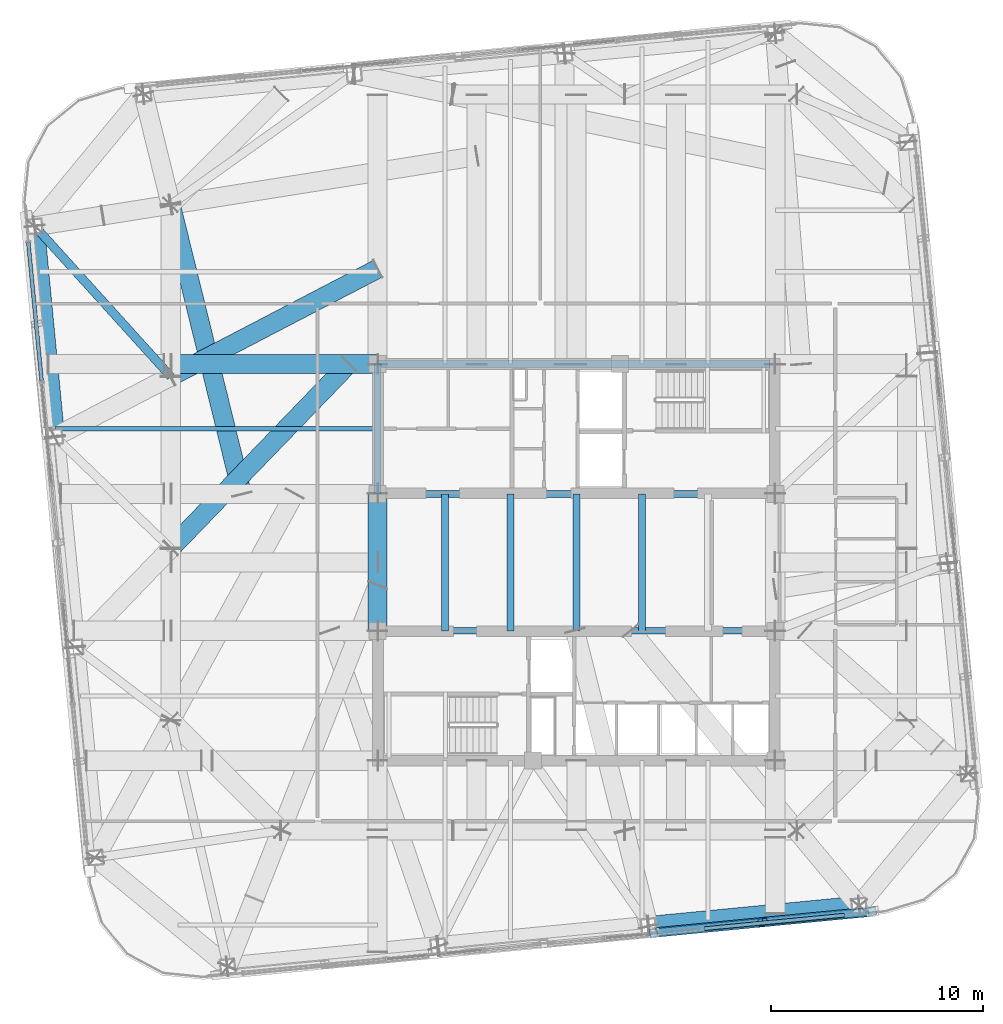
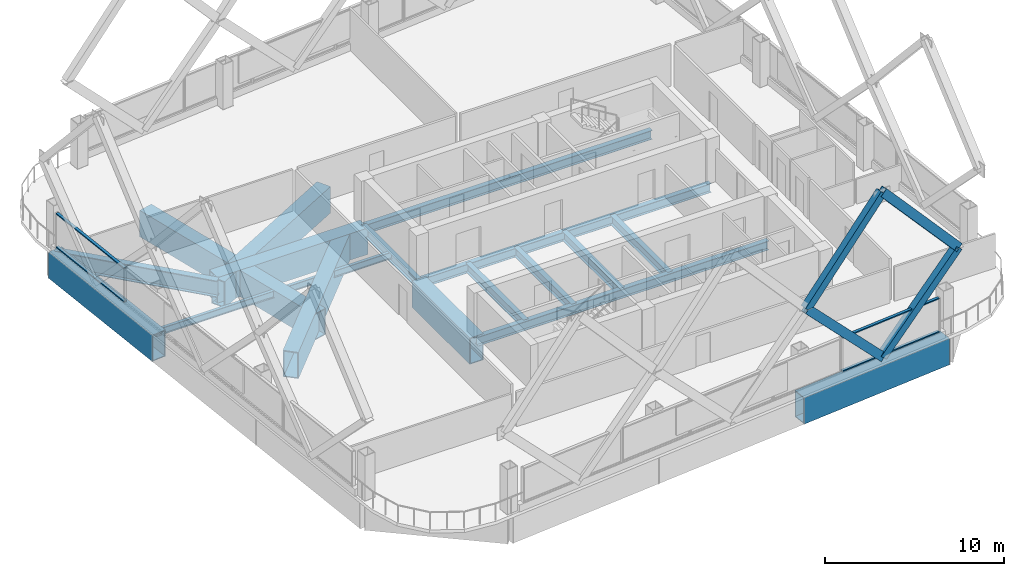
# One storey, part 13 of 37: 17 beams, 8 members, 2 elements without a shape of their own.
"""IFC4 building model written with IfcOpenShell, lengths in metres."""

from ifc_helpers import new_model, si_unit, direction, frame, origin, origin_2d, place, context, subcontext, project, spatial, hollow_rectangle, i_section, extrude, material, layer, layer_set, material_profile, profile_set, type_object, element, aggregate, save


model = new_model("IFC4")

# Units and contexts
model_context = context("Model", 3, precision=1e-05, world=origin(), true_north=direction((0.0, 1.0)))
body_context = subcontext(model_context, "Body", "Model", "MODEL_VIEW")
ifc_project = project(units=[si_unit("LENGTHUNIT", "METRE"), si_unit("AREAUNIT", "SQUARE_METRE"), si_unit("VOLUMEUNIT", "CUBIC_METRE"), si_unit("PLANEANGLEUNIT", "RADIAN"), si_unit("MASSUNIT", "GRAM", prefix="KILO")], contexts=[model_context])

# Site, building, storey
site_placement = place(None, origin())
site = spatial("IfcSite", under=ifc_project, at=site_placement, CompositionType="ELEMENT")
building_placement = place(site_placement, origin())
building = spatial("IfcBuilding", under=site, at=building_placement, Name="Qhalaya Broadcast Tower", CompositionType="ELEMENT")
storey_placement = place(building_placement, frame((0.0, 0.0, 156.14990234375)))
storey = spatial("IfcBuildingStorey", under=building, at=storey_placement, Name="L45", CompositionType="ELEMENT", Elevation=156.14990234375)

# Beams
ifc_material_1 = material(Name="Structural Steel ASTM A572 Grade 50", Category="steel")
ifc_material_profile_1 = material_profile(ifc_material_1, hollow_rectangle(XDim=0.89990234375, YDim=1.800048828125, WallThickness=0.06005859375, at=origin_2d()), Name="BOX 900x1800x60")
ifc_profile_set_1 = profile_set([ifc_material_profile_1], Name="Structural Steel ASTM A572 Grade 50")
beam_type_1 = type_object("IfcBeamType", Name="Block Cantilever Transfer Box Girder TG1", PredefinedType="USERDEFINED", material=ifc_profile_set_1)
for number, where, z_axis, x_axis, name in (
    (1, (3.399658203125, -16.537353515625, -1.119873046875), (0.995395510024, 0.095852900965, 0.0), (-0.095852900965, 0.995395510024, 0.0), "L45 TG1 L45-SPR-03"),
    (2, (-25.52783203125, 16.44189453125, -1.119873046875), (0.095852900965, -0.995395510024, 0.0), (0.995395510024, 0.095852900965, 0.0), "L45 TG1 L45-SPR-13"),
):
    element("IfcBeam", number, at=place(storey_placement, frame(where, z_axis=z_axis, x_axis=x_axis)), inside=storey, type_object=beam_type_1, Name=name, ObjectType="GIRDER", PredefinedType="USERDEFINED", context=body_context, shape_type="SweptSolid", body=[
        extrude(hollow_rectangle(XDim=0.89990234375, YDim=1.800048828125, WallThickness=0.06005859375, at=origin_2d()), origin(), (0.0, 0.0, 1.0), 9.966552734375),
    ])
beam_1_placement = place(storey_placement, frame((-9.375, -2.625, -1.119873046875), z_axis=(0.0, 1.0, 0.0), x_axis=(-1.0, 0.0, 0.0)))
element("IfcBeam", 3, at=beam_1_placement, inside=storey, type_object=beam_type_1, Name="L45 TG1 L45-TGIMW-1", ObjectType="GIRDER", PredefinedType="USERDEFINED", context=body_context, shape_type="SweptSolid", body=[
    extrude(hollow_rectangle(XDim=0.89990234375, YDim=1.800048828125, WallThickness=0.06005859375, at=origin_2d()), origin(), (0.0, 0.0, 1.0), 6.449951171875),
])
beam_2_placement = place(storey_placement, frame((-19.080078125, 9.949951171875, -1.119873046875), z_axis=(1.0, 0.0, 0.0), x_axis=(0.0, 1.0, 0.0)))
element("IfcBeam", 4, at=beam_2_placement, inside=storey, type_object=beam_type_1, Name="L45 TG1 L45-TGIY4W-1", ObjectType="GIRDER", PredefinedType="USERDEFINED", context=body_context, shape_type="SweptSolid", body=[
    extrude(hollow_rectangle(XDim=0.89990234375, YDim=1.800048828125, WallThickness=0.06005859375, at=origin_2d()), origin(), (0.0, 0.0, 1.0), 9.705078125),
])
beam_3_placement = place(storey_placement, frame((-15.763916015625, 3.824951171875, -1.119873046875), z_axis=(-0.239011733238, 0.971016679246, 0.0), x_axis=(-0.971016679246, -0.239011733238, 0.0)))
element("IfcBeam", 5, at=beam_3_placement, inside=storey, type_object=beam_type_1, Name="L45 Collinear Back-Span Transfer Box Girder 12", ObjectType="GIRDER", PredefinedType="USERDEFINED", context=body_context, shape_type="SweptSolid", body=[
    extrude(hollow_rectangle(XDim=0.89990234375, YDim=1.800048828125, WallThickness=0.06005859375, at=origin_2d()), origin(), (0.0, 0.0, 1.0), 14.0419921875),
])
beam_4_placement = place(storey_placement, frame((-9.375, 14.43359375, -1.119873046875), z_axis=(-0.886992214579, -0.461784377472, 0.0), x_axis=(0.461784377472, -0.886992214579, 0.0)))
element("IfcBeam", 6, at=beam_4_placement, inside=storey, type_object=beam_type_1, Name="L45 Collinear Back-Span Transfer Box Girder 14", ObjectType="GIRDER", PredefinedType="USERDEFINED", context=body_context, shape_type="SweptSolid", body=[
    extrude(hollow_rectangle(XDim=0.89990234375, YDim=1.800048828125, WallThickness=0.06005859375, at=origin_2d()), origin(), (0.0, 0.0, 1.0), 10.98681640625),
])
beam_5_placement = place(storey_placement, frame((-10.732666015625, 9.949951171875, -1.119873046875), z_axis=(-0.694472930006, -0.719518831921, 0.0), x_axis=(0.719518831921, -0.694472930006, 0.0)))
element("IfcBeam", 7, at=beam_5_placement, inside=storey, type_object=beam_type_1, Name="L45 Collinear Back-Span Transfer Box Girder 15", ObjectType="GIRDER", PredefinedType="USERDEFINED", context=body_context, shape_type="SweptSolid", body=[
    extrude(hollow_rectangle(XDim=0.89990234375, YDim=1.800048828125, WallThickness=0.06005859375, at=origin_2d()), origin(), (0.0, 0.0, 1.0), 12.077392578125),
])
ifc_material_2 = material(Name="Structural Steel ASTM A992 Grade 50", Category="steel")
ifc_material_profile_2 = material_profile(ifc_material_2, i_section(OverallWidth=0.19189453125, OverallDepth=0.462890625, WebThickness=0.010498046875, FlangeThickness=0.017578125, at=origin_2d()), Name="W18X60")
ifc_profile_set_2 = profile_set([ifc_material_profile_2], Name="Structural Steel ASTM A992 Grade 50")
beam_type_2 = type_object("IfcBeamType", Name="Composite Floor Joist J03", PredefinedType="JOIST", material=ifc_profile_set_2)
beam_6_placement = place(storey_placement, frame((-24.589111328125, 6.89990234375, -0.451416015625), z_axis=(1.0, 0.0, 0.0), x_axis=(0.0, 1.0, 0.0)))
element("IfcBeam", 8, at=beam_6_placement, inside=storey, type_object=beam_type_2, Name="L45 J03 L45-JWE5W-1", PredefinedType="JOIST", context=body_context, shape_type="SweptSolid", body=[
    extrude(i_section(OverallWidth=0.19189453125, OverallDepth=0.462890625, WebThickness=0.010498046875, FlangeThickness=0.017578125, at=origin_2d()), origin(), (0.0, 0.0, 1.0), 15.214111328125),
])
ifc_material_profile_3 = material_profile(ifc_material_2, i_section(OverallWidth=0.323974609375, OverallDepth=0.612060546875, WebThickness=0.0126953125, FlangeThickness=0.01904296875, at=origin_2d()), Name="W24X104")
ifc_profile_set_3 = profile_set([ifc_material_profile_3], Name="Structural Steel ASTM A992 Grade 50")
beam_type_3 = type_object("IfcBeamType", Name="Core Frame Tie Beam B04", PredefinedType="BEAM", material=ifc_profile_set_3)
beam_7_placement = place(storey_placement, frame((-9.375, 3.824951171875, -0.52587890625), z_axis=(1.0, 0.0, 0.0), x_axis=(0.0, 1.0, 0.0)))
element("IfcBeam", 9, at=beam_7_placement, inside=storey, type_object=beam_type_3, Name="L45 B04 L45-CCN1", PredefinedType="BEAM", context=body_context, shape_type="SweptSolid", body=[
    extrude(i_section(OverallWidth=0.323974609375, OverallDepth=0.612060546875, WebThickness=0.0126953125, FlangeThickness=0.01904296875, at=origin_2d()), origin(), (0.0, 0.0, 1.0), 18.75),
])
beam_8_placement = place(storey_placement, frame((-9.375, 3.824951171875, -0.52587890625), z_axis=(0.0, 1.0, 0.0), x_axis=(-1.0, 0.0, 0.0)))
element("IfcBeam", 10, at=beam_8_placement, inside=storey, type_object=beam_type_3, Name="L45 B04 L45-CCN2", PredefinedType="BEAM", context=body_context, shape_type="SweptSolid", body=[
    extrude(i_section(OverallWidth=0.323974609375, OverallDepth=0.612060546875, WebThickness=0.0126953125, FlangeThickness=0.01904296875, at=origin_2d()), origin(), (0.0, 0.0, 1.0), 6.125),
])
beam_9_placement = place(storey_placement, frame((-9.375, 9.949951171875, -0.52587890625), z_axis=(1.0, 0.0, 0.0), x_axis=(0.0, 1.0, 0.0)))
element("IfcBeam", 11, at=beam_9_placement, inside=storey, type_object=beam_type_3, Name="L45 B04 L45-CCN3", PredefinedType="BEAM", context=body_context, shape_type="SweptSolid", body=[
    extrude(i_section(OverallWidth=0.323974609375, OverallDepth=0.612060546875, WebThickness=0.0126953125, FlangeThickness=0.01904296875, at=origin_2d()), origin(), (0.0, 0.0, 1.0), 18.4951171875),
])
beam_10_placement = place(storey_placement, frame((-9.375, -2.625, -0.52587890625), z_axis=(1.0, 0.0, 0.0), x_axis=(0.0, 1.0, 0.0)))
element("IfcBeam", 12, at=beam_10_placement, inside=storey, type_object=beam_type_3, Name="L45 B04 L45-CCS1", PredefinedType="BEAM", context=body_context, shape_type="SweptSolid", body=[
    extrude(i_section(OverallWidth=0.323974609375, OverallDepth=0.612060546875, WebThickness=0.0126953125, FlangeThickness=0.01904296875, at=origin_2d()), origin(), (0.0, 0.0, 1.0), 18.75),
])
for number, where, z_axis, x_axis, name in (
    (13, (-6.199951171875, -2.625, -0.52587890625), (0.0, 1.0, 0.0), (-1.0, 0.0, 0.0), "L45 B04 L45-JC1-1"),
    (14, (-3.10009765625, -2.625, -0.52587890625), (0.0, 1.0, 0.0), (-1.0, 0.0, 0.0), "L45 B04 L45-JC2-1"),
    (15, (0.0, -2.625, -0.52587890625), (0.0, 1.0, 0.0), (-1.0, 0.0, 0.0), "L45 B04 L45-JC3-1"),
    (16, (3.10009765625, -2.625, -0.52587890625), (0.0, 1.0, 0.0), (-1.0, 0.0, 0.0), "L45 B04 L45-JC4-1"),
):
    element("IfcBeam", number, at=place(storey_placement, frame(where, z_axis=z_axis, x_axis=x_axis)), inside=storey, type_object=beam_type_3, Name=name, PredefinedType="BEAM", context=body_context, shape_type="SweptSolid", body=[
        extrude(i_section(OverallWidth=0.323974609375, OverallDepth=0.612060546875, WebThickness=0.0126953125, FlangeThickness=0.01904296875, at=origin_2d()), origin(), (0.0, 0.0, 1.0), 6.449951171875),
    ])

# Members
ifc_material_profile_4 = material_profile(ifc_material_1, hollow_rectangle(XDim=0.39990234375, YDim=0.550048828125, WallThickness=0.02490234375, at=origin_2d()), Name="BOX 400x550x25")
ifc_profile_set_4 = profile_set([ifc_material_profile_4], Name="Structural Steel ASTM A572 Grade 50")
member_type_1 = type_object("IfcMemberType", Name="Exoskeleton Diamond Diagonal Mid-High EX3", PredefinedType="BRACE", material=ifc_profile_set_4)
for number, where, z_axis, x_axis, name in (
    (17, (8.790771484375, -16.35986328125, 0.360107421875), (-0.690631901239, -0.066504325889, 0.720142174594), (0.164115000923, -0.984197121098, 0.066500325516), "B4 Exoskeleton Diamond Brace S3-D1"),
    (18, (8.790771484375, -16.35986328125, 0.360107421875), (0.690631901239, 0.066504325889, 0.720142174594), (-0.164115000923, 0.984197121098, 0.066500325516), "B4 Exoskeleton Diamond Brace S3-D2"),
):
    element("IfcMember", number, at=place(storey_placement, frame(where, z_axis=z_axis, x_axis=x_axis)), inside=storey, type_object=member_type_1, Name=name, PredefinedType="BRACE", context=body_context, shape_type="SweptSolid", body=[
        extrude(hollow_rectangle(XDim=0.39990234375, YDim=0.550048828125, WallThickness=0.02490234375, at=origin_2d()), origin(), (0.0, 0.0, 1.0), 7.470703125),
    ])
for number, where, z_axis, x_axis, name in (
    (19, (3.63134765625, -16.856689453125, 5.739990234375), (0.659476642868, 0.06350423358, 0.749037896123), (-0.166871781183, 0.983931657235, 0.063500413668), "B4 Exoskeleton Diamond Brace S3-D3"),
    (20, (13.9501953125, -15.863037109375, 5.739990234375), (-0.659476642868, -0.06350423358, 0.749037896123), (0.166871781183, -0.983931657235, 0.063500413668), "B4 Exoskeleton Diamond Brace S3-D4"),
):
    element("IfcMember", number, at=place(storey_placement, frame(where, z_axis=z_axis, x_axis=x_axis)), inside=storey, type_object=member_type_1, Name=name, PredefinedType="BRACE", context=body_context, shape_type="SweptSolid", body=[
        extrude(hollow_rectangle(XDim=0.39990234375, YDim=0.550048828125, WallThickness=0.02490234375, at=origin_2d()), origin(), (0.0, 0.0, 1.0), 7.823486328125),
    ])

# Beam
ifc_material_profile_5 = material_profile(ifc_material_2, i_section(OverallWidth=0.404052734375, OverallDepth=1.117919921875, WebThickness=0.026123046875, FlangeThickness=0.044921875, at=origin_2d()), Name="W44X335")
ifc_profile_set_5 = profile_set([ifc_material_profile_5], Name="Structural Steel ASTM A992 Grade 50")
beam_type_4 = type_object("IfcBeamType", Name="Podium Long-Span Primary Girder PG1", PredefinedType="USERDEFINED", material=ifc_profile_set_5)
beam_11_placement = place(storey_placement, frame((-19.1201171875, 9.360107421875, -0.77880859375), z_axis=(-0.670935412692, 0.741515793491, 0.0), x_axis=(-0.741515793491, -0.670935412692, 0.0)))
element("IfcBeam", 21, at=beam_11_placement, inside=storey, type_object=beam_type_4, Name="L45 Column-to-Column Moment Tie Girder 13-2", ObjectType="GIRDER", PredefinedType="USERDEFINED", context=body_context, shape_type="SweptSolid", body=[
    extrude(i_section(OverallWidth=0.404052734375, OverallDepth=1.117919921875, WebThickness=0.026123046875, FlangeThickness=0.044921875, at=origin_2d()), origin(), (0.0, 0.0, 1.0), 9.550537109375),
])

# Curtain wall, members
ifc_material_3 = material(Name="Fired Architectural Terracotta", Category="masonry")
ifc_layer = layer(ifc_material_3, 0.219970703125, Name="Fired Architectural Terracotta")
ifc_layer_set = layer_set([ifc_layer], Name="Fired Architectural Terracotta")
curtain_wall_type = type_object("IfcCurtainWallType", Name="Block-Cap Unitised Terracotta Spandrel Wall CW-07", PredefinedType="NOTDEFINED", material=ifc_layer_set)
curtain_wall_1_placement = place(storey_placement, origin())
curtain_wall_1 = element("IfcCurtainWall", 22, at=curtain_wall_1_placement, inside=storey, type_object=curtain_wall_type, Name="L45 Unitised Curtain Wall L45-CW-S5", PredefinedType="NOTDEFINED")
ifc_material_4 = material(Name="Anodised Aluminium 6063-T6", Category="aluminium")
ifc_material_profile_6 = material_profile(ifc_material_4, hollow_rectangle(XDim=0.074951171875, YDim=0.179931640625, WallThickness=0.00390625, at=origin_2d()), Name="ALU-TRN 75x180x4")
ifc_profile_set_6 = profile_set([ifc_material_profile_6], Name="Anodised Aluminium 6063-T6")
member_type_2 = type_object("IfcMemberType", Name="Unitised Curtain-Wall Transom T01", PredefinedType="USERDEFINED", material=ifc_profile_set_6)
member_1_placement = place(storey_placement, frame((6.03564453125, -16.665283203125, 0.517578125), z_axis=(0.995395796291, 0.09584992815, 0.0), x_axis=(0.0, 0.0, 1.0)))
member_1 = element("IfcMember", 23, at=member_1_placement, type_object=member_type_2, Name="CW-07 transom 1.1", ObjectType="TRANSOM", PredefinedType="USERDEFINED", context=body_context, shape_type="SweptSolid", body=[
    extrude(hollow_rectangle(XDim=0.074951171875, YDim=0.179931640625, WallThickness=0.00390625, at=origin_2d()), origin(), (0.0, 0.0, 1.0), 6.630126953125),
])
member_2_placement = place(storey_placement, frame((6.03564453125, -16.665283203125, 2.79248046875), z_axis=(0.995395796291, 0.09584992815, 0.0), x_axis=(0.0, 0.0, 1.0)))
member_2 = element("IfcMember", 24, at=member_2_placement, type_object=member_type_2, Name="CW-07 transom 1.2", ObjectType="TRANSOM", PredefinedType="USERDEFINED", context=body_context, shape_type="SweptSolid", body=[
    extrude(hollow_rectangle(XDim=0.074951171875, YDim=0.179931640625, WallThickness=0.00390625, at=origin_2d()), origin(), (0.0, 0.0, 1.0), 6.630126953125),
])
aggregate(curtain_wall_1, [member_1, member_2])

curtain_wall_2_placement = place(storey_placement, origin())
curtain_wall_2 = element("IfcCurtainWall", 25, at=curtain_wall_2_placement, inside=storey, type_object=curtain_wall_type, Name="L45 Unitised Curtain Wall L45-CW-W1", PredefinedType="NOTDEFINED")
member_3_placement = place(storey_placement, frame((-25.836669921875, 15.683837890625, 0.517578125), z_axis=(0.09584906286, -0.995395879612, 0.0), x_axis=(0.0, 0.0, 1.0)))
member_3 = element("IfcMember", 26, at=member_3_placement, type_object=member_type_2, Name="CW-07 transom 1.1", ObjectType="TRANSOM", PredefinedType="USERDEFINED", context=body_context, shape_type="SweptSolid", body=[
    extrude(hollow_rectangle(XDim=0.074951171875, YDim=0.179931640625, WallThickness=0.00390625, at=origin_2d()), origin(), (0.0, 0.0, 1.0), 6.535888671875),
])
member_4_placement = place(storey_placement, frame((-25.836669921875, 15.683837890625, 2.79248046875), z_axis=(0.09584906286, -0.995395879612, 0.0), x_axis=(0.0, 0.0, 1.0)))
member_4 = element("IfcMember", 27, at=member_4_placement, type_object=member_type_2, Name="CW-07 transom 1.2", ObjectType="TRANSOM", PredefinedType="USERDEFINED", context=body_context, shape_type="SweptSolid", body=[
    extrude(hollow_rectangle(XDim=0.074951171875, YDim=0.179931640625, WallThickness=0.00390625, at=origin_2d()), origin(), (0.0, 0.0, 1.0), 6.535888671875),
])
aggregate(curtain_wall_2, [member_3, member_4])

save(model, "model.ifc")
